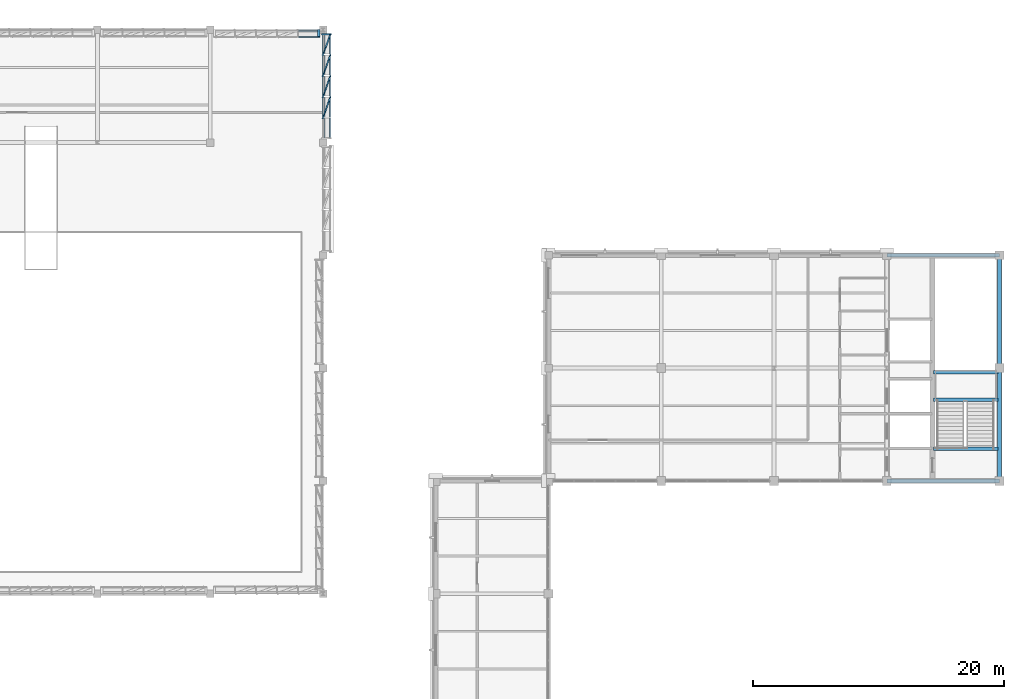
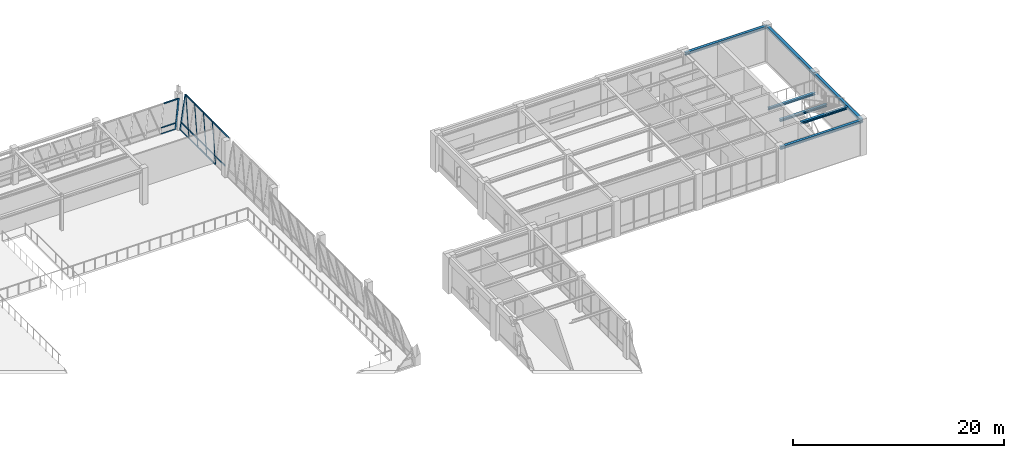
# One storey, part 73 of 108: 23 members, 7 beams, 2 elements without a shape of their own.
"""IFC4 building model written with IfcOpenShell, lengths in metres."""

from ifc_helpers import new_model, si_unit, direction, frame, origin, origin_2d, place, context, subcontext, project, spatial, hollow_rectangle, i_section, extrude, material, material_profile, profile_set, type_object, element, aggregate, save


model = new_model("IFC4")

# Units and contexts
model_context = context("Model", 3, precision=1e-05, world=origin(), true_north=direction((0.0, 1.0)))
body_context = subcontext(model_context, "Body", "Model", "MODEL_VIEW")
ifc_project = project(units=[si_unit("LENGTHUNIT", "METRE"), si_unit("AREAUNIT", "SQUARE_METRE"), si_unit("VOLUMEUNIT", "CUBIC_METRE"), si_unit("PLANEANGLEUNIT", "RADIAN"), si_unit("MASSUNIT", "GRAM", prefix="KILO")], contexts=[model_context])

# Site, building, storey
site_placement = place(None, origin())
site = spatial("IfcSite", under=ifc_project, at=site_placement, CompositionType="ELEMENT")
building_placement = place(site_placement, origin())
building = spatial("IfcBuilding", under=site, at=building_placement, Name="Lykobir Media Centre", CompositionType="ELEMENT")
storey_placement = place(building_placement, frame((0.0, 0.0, 15.0)))
storey = spatial("IfcBuildingStorey", under=building, at=storey_placement, Name="L03", CompositionType="ELEMENT", Elevation=15.0)

# Beams
ifc_material_1 = material(Name="Steel S355", Category="steel")
ifc_material_profile_1 = material_profile(ifc_material_1, i_section(OverallWidth=0.300048828125, OverallDepth=0.31005859375, WebThickness=0.009033203125, FlangeThickness=0.015380859375, at=origin_2d()), Name="HEA 320")
ifc_profile_set_1 = profile_set([ifc_material_profile_1], Name="Steel S355")
beam_type_1 = type_object("IfcBeamType", Name="BM-HEA320", PredefinedType="BEAM", material=ifc_profile_set_1)
for number, where, z_axis, x_axis, name in (
    (1, (135.0, 72.0, 3.804931640625), (0.0, 1.0, 0.0), (-1.0, 0.0, 0.0), "Beam BM-L03-1350-0720-1350-0810-1880"),
    (2, (135.0, 81.0, 3.804931640625), (0.0, 1.0, 0.0), (-1.0, 0.0, 0.0), "Beam BM-L03-1350-0810-1350-0900-1880"),
):
    element("IfcBeam", number, at=place(storey_placement, frame(where, z_axis=z_axis, x_axis=x_axis)), inside=storey, type_object=beam_type_1, Name=name, PredefinedType="BEAM", context=body_context, shape_type="SweptSolid", body=[
        extrude(i_section(OverallWidth=0.300048828125, OverallDepth=0.31005859375, WebThickness=0.009033203125, FlangeThickness=0.015380859375, at=origin_2d()), origin(), (0.0, 0.0, 1.0), 9.0),
    ])
ifc_material_profile_2 = material_profile(ifc_material_1, i_section(OverallWidth=0.260009765625, OverallDepth=0.25, WebThickness=0.007568359375, FlangeThickness=0.012451171875, at=origin_2d()), Name="HEA 260")
ifc_profile_set_2 = profile_set([ifc_material_profile_2], Name="Steel S355")
beam_type_2 = type_object("IfcBeamType", Name="BM-ST260", PredefinedType="BEAM", material=ifc_profile_set_2)
beam_placement = place(storey_placement, frame((129.72998046875, 80.679931640625, 1.780029296875), z_axis=(1.0, 0.0, 0.0), x_axis=(0.0, 1.0, 0.0)))
element("IfcBeam", 3, at=beam_placement, inside=storey, type_object=beam_type_2, Name="ST-4 L03 half-landing support beam", PredefinedType="BEAM", context=body_context, shape_type="SweptSolid", body=[
    extrude(i_section(OverallWidth=0.260009765625, OverallDepth=0.25, WebThickness=0.007568359375, FlangeThickness=0.012451171875, at=origin_2d()), origin(), (0.0, 0.0, 1.0), 5.14013671875),
])
ifc_material_profile_3 = material_profile(ifc_material_1, i_section(OverallWidth=0.280029296875, OverallDepth=0.27001953125, WebThickness=0.008056640625, FlangeThickness=0.012939453125, at=origin_2d()), Name="HEA 280")
ifc_profile_set_3 = profile_set([ifc_material_profile_3], Name="Steel S355")
beam_type_3 = type_object("IfcBeamType", Name="BM-ST280", PredefinedType="BEAM", material=ifc_profile_set_3)
for number, where, z_axis, x_axis, name in (
    (4, (129.72998046875, 74.580078125, 3.824951171875), (1.0, 0.0, 0.0), (0.0, 1.0, 0.0), "ST-4 L03 arrival trimmer beam"),
    (5, (129.72998046875, 78.47998046875, 1.77001953125), (1.0, 0.0, 0.0), (0.0, 1.0, 0.0), "ST-4 L03 mid-landing trimmer beam"),
):
    element("IfcBeam", number, at=place(storey_placement, frame(where, z_axis=z_axis, x_axis=x_axis)), inside=storey, type_object=beam_type_3, Name=name, PredefinedType="BEAM", context=body_context, shape_type="SweptSolid", body=[
        extrude(i_section(OverallWidth=0.280029296875, OverallDepth=0.27001953125, WebThickness=0.008056640625, FlangeThickness=0.012939453125, at=origin_2d()), origin(), (0.0, 0.0, 1.0), 5.14013671875),
    ])

# Curtain wall, members
ifc_material_2 = material(Name="Anodized Aluminium AW-6060", Category="aluminium")
curtain_wall_type = type_object("IfcCurtainWallType", Name="CW-V6-CR3", PredefinedType="NOTDEFINED", material=ifc_material_2)
curtain_wall_1_placement = place(storey_placement, origin())
curtain_wall_1 = element("IfcCurtainWall", 6, at=curtain_wall_1_placement, inside=storey, type_object=curtain_wall_type, Name="Curtain wall CW2-L03-0129", PredefinedType="NOTDEFINED")
ifc_material_profile_4 = material_profile(ifc_material_2, hollow_rectangle(XDim=0.074951171875, YDim=0.179931640625, WallThickness=0.00390625, at=origin_2d()), Name="ALU MULLION 75x180")
ifc_profile_set_4 = profile_set([ifc_material_profile_4], Name="Anodized Aluminium AW-6060")
member_type_1 = type_object("IfcMemberType", Name="CWM-180", PredefinedType="MULLION", material=ifc_profile_set_4)
member_1_placement = place(storey_placement, frame((81.0, 100.98291015625, 0.0), z_axis=(0.132268649053, 0.374628486657, 0.917691942573), x_axis=(0.942953333652, -0.332924932312, 0.0)))
member_1 = element("IfcMember", 7, at=member_1_placement, type_object=member_type_1, Name="CW2-L03-0129 mullion 2", PredefinedType="MULLION", context=body_context, shape_type="SweptSolid", body=[
    extrude(hollow_rectangle(XDim=0.074951171875, YDim=0.179931640625, WallThickness=0.00390625, at=origin_2d()), origin(), (0.0, 0.0, 1.0), 4.293212890625),
])
member_2_placement = place(storey_placement, frame((81.0, 102.660888671875, 0.0), z_axis=(0.132268649053, 0.374628486657, 0.917691942573), x_axis=(0.942953333652, -0.332924932312, 0.0)))
member_2 = element("IfcMember", 8, at=member_2_placement, type_object=member_type_1, Name="CW2-L03-0129 mullion 3", PredefinedType="MULLION", context=body_context, shape_type="SweptSolid", body=[
    extrude(hollow_rectangle(XDim=0.074951171875, YDim=0.179931640625, WallThickness=0.00390625, at=origin_2d()), origin(), (0.0, 0.0, 1.0), 4.293212890625),
])
member_3_placement = place(storey_placement, frame((81.0, 104.339111328125, 0.0), z_axis=(0.132271466696, 0.374579600655, 0.917711491631), x_axis=(0.942937465835, -0.332969871798, 0.0)))
member_3 = element("IfcMember", 9, at=member_3_placement, type_object=member_type_1, Name="CW2-L03-0129 mullion 4", PredefinedType="MULLION", context=body_context, shape_type="SweptSolid", body=[
    extrude(hollow_rectangle(XDim=0.074951171875, YDim=0.179931640625, WallThickness=0.00390625, at=origin_2d()), origin(), (0.0, 0.0, 1.0), 4.293212890625),
])
member_4_placement = place(storey_placement, frame((81.0, 106.01708984375, 0.0), z_axis=(0.132760683435, 0.365976570158, 0.921105721961), x_axis=(0.94005853495, -0.341013124188, 0.0)))
member_4 = element("IfcMember", 10, at=member_4_placement, type_object=member_type_1, Name="CW2-L03-0129 mullion 5", PredefinedType="MULLION", context=body_context, shape_type="SweptSolid", body=[
    extrude(hollow_rectangle(XDim=0.074951171875, YDim=0.179931640625, WallThickness=0.00390625, at=origin_2d()), origin(), (0.0, 0.0, 1.0), 4.27734375),
])
member_5_placement = place(storey_placement, frame((81.0, 107.657470703125, 0.0), z_axis=(0.142657694389, 0.0, 0.989772086003), x_axis=(0.0, -1.0, 0.0)))
member_5 = element("IfcMember", 11, at=member_5_placement, type_object=member_type_1, Name="CW2-L03-0129 mullion 6", PredefinedType="MULLION", context=body_context, shape_type="SweptSolid", body=[
    extrude(hollow_rectangle(XDim=0.074951171875, YDim=0.179931640625, WallThickness=0.00390625, at=origin_2d()), origin(), (0.0, 0.0, 1.0), 3.980712890625),
])

# Curtain wall, member
curtain_wall_2_placement = place(storey_placement, origin())
curtain_wall_2 = element("IfcCurtainWall", 12, at=curtain_wall_2_placement, inside=storey, type_object=curtain_wall_type, Name="Curtain wall CW2-L03-0134", PredefinedType="NOTDEFINED")
member_6_placement = place(storey_placement, frame((80.657470703125, 108.0, 0.0), z_axis=(0.0, -0.142657694389, 0.989772086003), x_axis=(0.0, 0.989772086003, 0.142657694389)))
member_6 = element("IfcMember", 13, at=member_6_placement, type_object=member_type_1, Name="CW2-L03-0134 mullion 6", PredefinedType="MULLION", context=body_context, shape_type="SweptSolid", body=[
    extrude(hollow_rectangle(XDim=0.074951171875, YDim=0.179931640625, WallThickness=0.00390625, at=origin_2d()), origin(), (0.0, 0.0, 1.0), 3.980712890625),
])

# Member
ifc_material_profile_5 = material_profile(ifc_material_2, hollow_rectangle(XDim=0.074951171875, YDim=0.14990234375, WallThickness=0.00341796875, at=origin_2d()), Name="ALU TRANSOM 75x150")
ifc_profile_set_5 = profile_set([ifc_material_profile_5], Name="Anodized Aluminium AW-6060")
member_type_2 = type_object("IfcMemberType", Name="CWT-150", PredefinedType="USERDEFINED", material=ifc_profile_set_5)
member_7_placement = place(storey_placement, frame((81.12109375, 99.3798828125, 0.84130859375), z_axis=(0.0, 1.0, 0.0), x_axis=(-0.989776230908, 0.0, 0.142628933706)))
member_7 = element("IfcMember", 14, at=member_7_placement, type_object=member_type_2, Name="CW2-L03-0129 transom 1.2", ObjectType="TRANSOM", PredefinedType="USERDEFINED", context=body_context, shape_type="SweptSolid", body=[
    extrude(hollow_rectangle(XDim=0.074951171875, YDim=0.14990234375, WallThickness=0.00341796875, at=origin_2d()), origin(), (0.0, 0.0, 1.0), 1.565673828125),
])

member_8_placement = place(storey_placement, frame((81.5625, 99.3798828125, 3.90283203125), z_axis=(0.0, 1.0, 0.0), x_axis=(-0.989776230908, 0.0, 0.142628933706)))
member_8 = element("IfcMember", 15, at=member_8_placement, type_object=member_type_2, Name="CW2-L03-0129 transom 1.3", ObjectType="TRANSOM", PredefinedType="USERDEFINED", context=body_context, shape_type="SweptSolid", body=[
    extrude(hollow_rectangle(XDim=0.074951171875, YDim=0.14990234375, WallThickness=0.00341796875, at=origin_2d()), origin(), (0.0, 0.0, 1.0), 1.565673828125),
])

member_9_placement = place(storey_placement, frame((81.00537109375, 101.0205078125, 0.037109375), z_axis=(0.0, 1.0, 0.0), x_axis=(-0.989776230908, 0.0, 0.142628933706)))
member_9 = element("IfcMember", 16, at=member_9_placement, type_object=member_type_2, Name="CW2-L03-0129 transom 2.1", ObjectType="TRANSOM", PredefinedType="USERDEFINED", context=body_context, shape_type="SweptSolid", body=[
    extrude(hollow_rectangle(XDim=0.074951171875, YDim=0.14990234375, WallThickness=0.00341796875, at=origin_2d()), origin(), (0.0, 0.0, 1.0), 1.60302734375),
])

member_10_placement = place(storey_placement, frame((81.12109375, 101.0205078125, 0.84130859375), z_axis=(0.0, 1.0, 0.0), x_axis=(-0.989776230908, 0.0, 0.142628933706)))
member_10 = element("IfcMember", 17, at=member_10_placement, type_object=member_type_2, Name="CW2-L03-0129 transom 2.2", ObjectType="TRANSOM", PredefinedType="USERDEFINED", context=body_context, shape_type="SweptSolid", body=[
    extrude(hollow_rectangle(XDim=0.074951171875, YDim=0.14990234375, WallThickness=0.00341796875, at=origin_2d()), origin(), (0.0, 0.0, 1.0), 1.60302734375),
])

member_11_placement = place(storey_placement, frame((81.5625, 101.0205078125, 3.90283203125), z_axis=(0.0, 1.0, 0.0), x_axis=(-0.989776230908, 0.0, 0.142628933706)))
member_11 = element("IfcMember", 18, at=member_11_placement, type_object=member_type_2, Name="CW2-L03-0129 transom 2.3", ObjectType="TRANSOM", PredefinedType="USERDEFINED", context=body_context, shape_type="SweptSolid", body=[
    extrude(hollow_rectangle(XDim=0.074951171875, YDim=0.14990234375, WallThickness=0.00341796875, at=origin_2d()), origin(), (0.0, 0.0, 1.0), 1.60302734375),
])

member_12_placement = place(storey_placement, frame((81.00537109375, 102.698486328125, 0.037109375), z_axis=(0.0, 1.0, 0.0), x_axis=(-0.989776230908, 0.0, 0.142628933706)))
member_12 = element("IfcMember", 19, at=member_12_placement, type_object=member_type_2, Name="CW2-L03-0129 transom 3.1", ObjectType="TRANSOM", PredefinedType="USERDEFINED", context=body_context, shape_type="SweptSolid", body=[
    extrude(hollow_rectangle(XDim=0.074951171875, YDim=0.14990234375, WallThickness=0.00341796875, at=origin_2d()), origin(), (0.0, 0.0, 1.0), 1.60302734375),
])

member_13_placement = place(storey_placement, frame((81.12109375, 102.698486328125, 0.84130859375), z_axis=(0.0, 1.0, 0.0), x_axis=(-0.989776230908, 0.0, 0.142628933706)))
member_13 = element("IfcMember", 20, at=member_13_placement, type_object=member_type_2, Name="CW2-L03-0129 transom 3.2", ObjectType="TRANSOM", PredefinedType="USERDEFINED", context=body_context, shape_type="SweptSolid", body=[
    extrude(hollow_rectangle(XDim=0.074951171875, YDim=0.14990234375, WallThickness=0.00341796875, at=origin_2d()), origin(), (0.0, 0.0, 1.0), 1.60302734375),
])

member_14_placement = place(storey_placement, frame((81.5625, 102.698486328125, 3.90283203125), z_axis=(0.0, 1.0, 0.0), x_axis=(-0.989776230908, 0.0, 0.142628933706)))
member_14 = element("IfcMember", 21, at=member_14_placement, type_object=member_type_2, Name="CW2-L03-0129 transom 3.3", ObjectType="TRANSOM", PredefinedType="USERDEFINED", context=body_context, shape_type="SweptSolid", body=[
    extrude(hollow_rectangle(XDim=0.074951171875, YDim=0.14990234375, WallThickness=0.00341796875, at=origin_2d()), origin(), (0.0, 0.0, 1.0), 1.60302734375),
])

member_15_placement = place(storey_placement, frame((81.00537109375, 104.37646484375, 0.037109375), z_axis=(0.0, 1.0, 0.0), x_axis=(-0.989776230908, 0.0, 0.142628933706)))
member_15 = element("IfcMember", 22, at=member_15_placement, type_object=member_type_2, Name="CW2-L03-0129 transom 4.1", ObjectType="TRANSOM", PredefinedType="USERDEFINED", context=body_context, shape_type="SweptSolid", body=[
    extrude(hollow_rectangle(XDim=0.074951171875, YDim=0.14990234375, WallThickness=0.00341796875, at=origin_2d()), origin(), (0.0, 0.0, 1.0), 1.60302734375),
])

member_16_placement = place(storey_placement, frame((81.12109375, 104.37646484375, 0.84130859375), z_axis=(0.0, 1.0, 0.0), x_axis=(-0.989776230908, 0.0, 0.142628933706)))
member_16 = element("IfcMember", 23, at=member_16_placement, type_object=member_type_2, Name="CW2-L03-0129 transom 4.2", ObjectType="TRANSOM", PredefinedType="USERDEFINED", context=body_context, shape_type="SweptSolid", body=[
    extrude(hollow_rectangle(XDim=0.074951171875, YDim=0.14990234375, WallThickness=0.00341796875, at=origin_2d()), origin(), (0.0, 0.0, 1.0), 1.60302734375),
])

member_17_placement = place(storey_placement, frame((81.5625, 104.37646484375, 3.90283203125), z_axis=(0.0, 1.0, 0.0), x_axis=(-0.989776230908, 0.0, 0.142628933706)))
member_17 = element("IfcMember", 24, at=member_17_placement, type_object=member_type_2, Name="CW2-L03-0129 transom 4.3", ObjectType="TRANSOM", PredefinedType="USERDEFINED", context=body_context, shape_type="SweptSolid", body=[
    extrude(hollow_rectangle(XDim=0.074951171875, YDim=0.14990234375, WallThickness=0.00341796875, at=origin_2d()), origin(), (0.0, 0.0, 1.0), 1.60302734375),
])

member_18_placement = place(storey_placement, frame((81.00537109375, 106.054443359375, 0.037109375), z_axis=(0.0, 1.0, 0.0), x_axis=(-0.989776230908, 0.0, 0.142628933706)))
member_18 = element("IfcMember", 25, at=member_18_placement, type_object=member_type_2, Name="CW2-L03-0129 transom 5.1", ObjectType="TRANSOM", PredefinedType="USERDEFINED", context=body_context, shape_type="SweptSolid", body=[
    extrude(hollow_rectangle(XDim=0.074951171875, YDim=0.14990234375, WallThickness=0.00341796875, at=origin_2d()), origin(), (0.0, 0.0, 1.0), 1.565673828125),
])

member_19_placement = place(storey_placement, frame((81.12109375, 106.054443359375, 0.84130859375), z_axis=(0.0, 1.0, 0.0), x_axis=(-0.989776230908, 0.0, 0.142628933706)))
member_19 = element("IfcMember", 26, at=member_19_placement, type_object=member_type_2, Name="CW2-L03-0129 transom 5.2", ObjectType="TRANSOM", PredefinedType="USERDEFINED", context=body_context, shape_type="SweptSolid", body=[
    extrude(hollow_rectangle(XDim=0.074951171875, YDim=0.14990234375, WallThickness=0.00341796875, at=origin_2d()), origin(), (0.0, 0.0, 1.0), 1.565673828125),
])

member_20_placement = place(storey_placement, frame((81.5625, 106.054443359375, 3.90283203125), z_axis=(0.0, 1.0, 0.0), x_axis=(-0.989776230908, 0.0, 0.142628933706)))
member_20 = element("IfcMember", 27, at=member_20_placement, type_object=member_type_2, Name="CW2-L03-0129 transom 5.3", ObjectType="TRANSOM", PredefinedType="USERDEFINED", context=body_context, shape_type="SweptSolid", body=[
    extrude(hollow_rectangle(XDim=0.074951171875, YDim=0.14990234375, WallThickness=0.00341796875, at=origin_2d()), origin(), (0.0, 0.0, 1.0), 1.565673828125),
])

aggregate(curtain_wall_1, [member_1, member_2, member_3, member_4, member_5, member_7, member_8, member_9, member_10, member_11, member_12, member_13, member_14, member_15, member_16, member_17, member_18, member_19, member_20])

member_21_placement = place(storey_placement, frame((79.054443359375, 107.99462890625, 0.037109375), z_axis=(1.0, 0.0, 0.0), x_axis=(0.0, 0.989776230908, 0.142628933706)))
member_21 = element("IfcMember", 28, at=member_21_placement, type_object=member_type_2, Name="CW2-L03-0134 transom 5.1", ObjectType="TRANSOM", PredefinedType="USERDEFINED", context=body_context, shape_type="SweptSolid", body=[
    extrude(hollow_rectangle(XDim=0.074951171875, YDim=0.14990234375, WallThickness=0.00341796875, at=origin_2d()), origin(), (0.0, 0.0, 1.0), 1.565673828125),
])

member_22_placement = place(storey_placement, frame((79.054443359375, 107.87890625, 0.84130859375), z_axis=(1.0, 0.0, 0.0), x_axis=(0.0, 0.989776230908, 0.142628933706)))
member_22 = element("IfcMember", 29, at=member_22_placement, type_object=member_type_2, Name="CW2-L03-0134 transom 5.2", ObjectType="TRANSOM", PredefinedType="USERDEFINED", context=body_context, shape_type="SweptSolid", body=[
    extrude(hollow_rectangle(XDim=0.074951171875, YDim=0.14990234375, WallThickness=0.00341796875, at=origin_2d()), origin(), (0.0, 0.0, 1.0), 1.565673828125),
])

member_23_placement = place(storey_placement, frame((79.054443359375, 107.4375, 3.90283203125), z_axis=(1.0, 0.0, 0.0), x_axis=(0.0, 0.989776230908, 0.142628933706)))
member_23 = element("IfcMember", 30, at=member_23_placement, type_object=member_type_2, Name="CW2-L03-0134 transom 5.3", ObjectType="TRANSOM", PredefinedType="USERDEFINED", context=body_context, shape_type="SweptSolid", body=[
    extrude(hollow_rectangle(XDim=0.074951171875, YDim=0.14990234375, WallThickness=0.00341796875, at=origin_2d()), origin(), (0.0, 0.0, 1.0), 1.565673828125),
])

aggregate(curtain_wall_2, [member_6, member_21, member_22, member_23])

# Beams
ifc_material_profile_6 = material_profile(ifc_material_1, i_section(OverallWidth=0.300048828125, OverallDepth=0.31005859375, WebThickness=0.009033203125, FlangeThickness=0.015380859375, at=origin_2d()), Name="HEA 320")
ifc_profile_set_6 = profile_set([ifc_material_profile_6], Name="Steel S355")
beam_type_4 = type_object("IfcBeamType", Name="SP-HEA320", PredefinedType="SPANDREL", material=ifc_profile_set_6)
for number, where, z_axis, x_axis, name in (
    (31, (126.0, 72.0, 3.804931640625), (1.0, 0.0, 0.0), (0.0, 1.0, 0.0), "Beam BM-L03-1260-0720-1350-0720-1880"),
    (32, (126.0, 90.0, 3.804931640625), (1.0, 0.0, 0.0), (0.0, 1.0, 0.0), "Beam BM-L03-1260-0900-1350-0900-1880"),
):
    element("IfcBeam", number, at=place(storey_placement, frame(where, z_axis=z_axis, x_axis=x_axis)), inside=storey, type_object=beam_type_4, Name=name, PredefinedType="SPANDREL", context=body_context, shape_type="SweptSolid", body=[
        extrude(i_section(OverallWidth=0.300048828125, OverallDepth=0.31005859375, WebThickness=0.009033203125, FlangeThickness=0.015380859375, at=origin_2d()), origin(), (0.0, 0.0, 1.0), 9.0),
    ])

save(model, "model.ifc")
